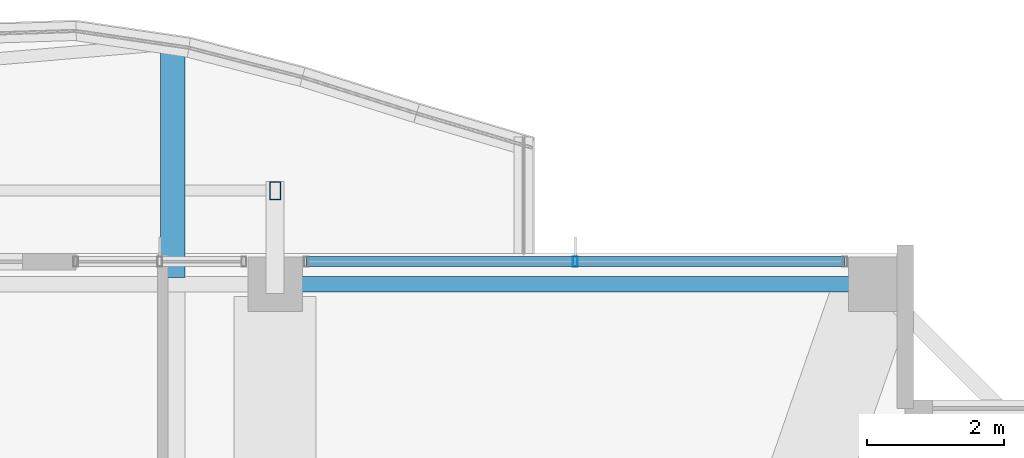
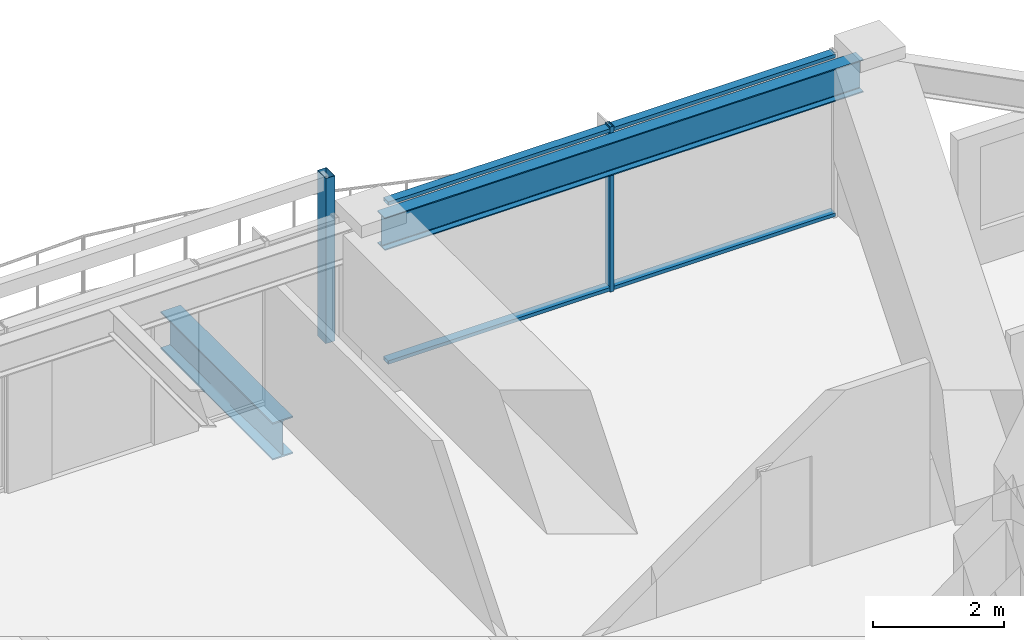
# One storey, part 21 of 37: 4 members, 2 beams, 1 element without a shape of its own.
"""IFC4 building model written with IfcOpenShell, lengths in metres."""

from ifc_helpers import new_model, si_unit, direction, frame, origin, origin_2d, place, context, subcontext, project, spatial, hollow_rectangle, i_section, extrude, material, material_profile, profile_set, type_object, element, aggregate, save


model = new_model("IFC4")

# Units and contexts
model_context = context("Model", 3, precision=1e-05, world=origin(), true_north=direction((0.0, 1.0)))
body_context = subcontext(model_context, "Body", "Model", "MODEL_VIEW")
ifc_project = project(units=[si_unit("LENGTHUNIT", "METRE"), si_unit("AREAUNIT", "SQUARE_METRE"), si_unit("VOLUMEUNIT", "CUBIC_METRE"), si_unit("PLANEANGLEUNIT", "RADIAN"), si_unit("MASSUNIT", "GRAM", prefix="KILO")], contexts=[model_context])

# Site, building, storey
site_placement = place(None, origin())
site = spatial("IfcSite", under=ifc_project, at=site_placement, CompositionType="ELEMENT")
building_placement = place(site_placement, origin())
building = spatial("IfcBuilding", under=site, at=building_placement, Name="Kolvaren Belvedere", CompositionType="ELEMENT")
storey_placement = place(building_placement, frame((0.0, 0.0, 219.60009765625)))
storey = spatial("IfcBuildingStorey", under=building, at=storey_placement, Name="L64", CompositionType="ELEMENT", Elevation=219.60009765625)

# Beams
ifc_material_1 = material(Name="Structural steel ASTM A992 Grade 50", Category="steel")
ifc_material_profile_1 = material_profile(ifc_material_1, i_section(OverallWidth=0.35498046875, OverallDepth=0.696044921875, WebThickness=0.015380859375, FlangeThickness=0.02490234375, FilletRadius=0.02197265625, at=origin_2d()), Name="W27X146")
ifc_profile_set_1 = profile_set([ifc_material_profile_1], Name="Structural steel ASTM A992 Grade 50")
beam_type_1 = type_object("IfcBeamType", Name="BM-CANT-BAL", PredefinedType="BEAM", material=ifc_profile_set_1)
beam_1_placement = place(storey_placement, frame((3.10009765625, 20.044921875, -0.568115234375), z_axis=(0.0, 1.0, 0.0), x_axis=(-1.0, 0.0, 0.0)))
element("IfcBeam", 1, at=beam_1_placement, inside=storey, type_object=beam_type_1, Name="L64 Planted Balcony Cantilever BAL-N-2", PredefinedType="BEAM", context=body_context, shape_type="SweptSolid", body=[
    extrude(i_section(OverallWidth=0.35498046875, OverallDepth=0.696044921875, WebThickness=0.015380859375, FlangeThickness=0.02490234375, FilletRadius=0.02197265625, at=origin_2d()), origin(), (0.0, 0.0, 1.0), 3.425537109375),
])
ifc_material_2 = material(Name="Structural steel ASTM A992 Grade 50", Category="steel")
ifc_material_profile_2 = material_profile(ifc_material_2, i_section(OverallWidth=0.22900390625, OverallDepth=0.612060546875, WebThickness=0.011962890625, FlangeThickness=0.01953125, FilletRadius=0.01806640625, at=origin_2d()), Name="W24X84")
ifc_profile_set_2 = profile_set([ifc_material_profile_2], Name="Structural steel ASTM A992 Grade 50")
beam_type_2 = type_object("IfcBeamType", Name="BM-SPAN-W24X84", PredefinedType="SPANDREL", material=ifc_profile_set_2)
beam_2_placement = place(storey_placement, frame((13.219970703125, 19.949951171875, 2.77392578125), z_axis=(-1.0, 0.0, 0.0), x_axis=(0.0, -1.0, 0.0)))
element("IfcBeam", 2, at=beam_2_placement, inside=storey, type_object=beam_type_2, Name="L64 Perimeter Spandrel N4-N3", PredefinedType="SPANDREL", context=body_context, shape_type="SweptSolid", body=[
    extrude(i_section(OverallWidth=0.22900390625, OverallDepth=0.612060546875, WebThickness=0.011962890625, FlangeThickness=0.01953125, FilletRadius=0.01806640625, at=origin_2d()), origin(), (0.0, 0.0, 1.0), 8.43994140625),
])

# Curtain wall, members
ifc_material_3 = material(Name="Anodised pale-metal aluminium AA 6063-T6", Category="aluminium")
curtain_wall_type = type_object("IfcCurtainWallType", Name="CW-Z5-HIGH", PredefinedType="NOTDEFINED", material=ifc_material_3)
curtain_wall_placement = place(storey_placement, origin())
curtain_wall = element("IfcCurtainWall", 3, at=curtain_wall_placement, inside=storey, type_object=curtain_wall_type, Name="L64 Unitised Curtain Wall FCW-L64-N2-B2", PredefinedType="NOTDEFINED")
ifc_material_4 = material(Name="Anodised pale-metal aluminium AA 6063-T6", Category="aluminium")
ifc_material_profile_3 = material_profile(ifc_material_4, hollow_rectangle(XDim=0.070068359375, YDim=0.14990234375, WallThickness=0.004150390625, at=origin_2d()), Name="ALU-MUL-150X70")
ifc_profile_set_3 = profile_set([ifc_material_profile_3], Name="Anodised pale-metal aluminium AA 6063-T6")
member_type_1 = type_object("IfcMemberType", Name="CW-MUL-150", PredefinedType="MULLION", material=ifc_profile_set_3)
member_1_placement = place(storey_placement, frame((9.0, 20.280029296875, 0.0), z_axis=(0.0, 0.0, 1.0), x_axis=(1.0, 0.0, 0.0)))
member_1 = element("IfcMember", 4, at=member_1_placement, type_object=member_type_1, Name="FCW-L64-N2-B2 Unitised Mullion 2", PredefinedType="MULLION", context=body_context, shape_type="SweptSolid", body=[
    extrude(hollow_rectangle(XDim=0.070068359375, YDim=0.14990234375, WallThickness=0.004150390625, at=origin_2d()), origin(), (0.0, 0.0, 1.0), 3.079833984375),
])
ifc_material_5 = material(Name="Anodised pale-metal aluminium AA 6063-T6", Category="aluminium")
ifc_material_profile_4 = material_profile(ifc_material_5, hollow_rectangle(XDim=0.06494140625, YDim=0.14990234375, WallThickness=0.00390625, at=origin_2d()), Name="ALU-TRN-150X65")
ifc_profile_set_4 = profile_set([ifc_material_profile_4], Name="Anodised pale-metal aluminium AA 6063-T6")
member_type_2 = type_object("IfcMemberType", Name="CW-TRN-150", PredefinedType="USERDEFINED", material=ifc_profile_set_4)
member_2_placement = place(storey_placement, frame((5.054931640625, 20.280029296875, 0.059814453125), z_axis=(1.0, 0.0, 0.0), x_axis=(0.0, 0.0, 1.0)))
member_2 = element("IfcMember", 5, at=member_2_placement, type_object=member_type_2, Name="FCW-L64-N2-B2 Sill Transom", ObjectType="TRANSOM", PredefinedType="USERDEFINED", context=body_context, shape_type="SweptSolid", body=[
    extrude(hollow_rectangle(XDim=0.06494140625, YDim=0.14990234375, WallThickness=0.00390625, at=origin_2d()), origin(), (0.0, 0.0, 1.0), 7.89013671875),
])
member_3_placement = place(storey_placement, frame((5.054931640625, 20.280029296875, 3.02001953125), z_axis=(1.0, 0.0, 0.0), x_axis=(0.0, 0.0, 1.0)))
member_3 = element("IfcMember", 6, at=member_3_placement, type_object=member_type_2, Name="FCW-L64-N2-B2 Head Transom", ObjectType="TRANSOM", PredefinedType="USERDEFINED", context=body_context, shape_type="SweptSolid", body=[
    extrude(hollow_rectangle(XDim=0.06494140625, YDim=0.14990234375, WallThickness=0.00390625, at=origin_2d()), origin(), (0.0, 0.0, 1.0), 7.89013671875),
])
aggregate(curtain_wall, [member_1, member_2, member_3])

# Member
ifc_material_6 = material(Name="Anodised pale-metal aluminium AA 6063-T6", Category="aluminium")
ifc_material_profile_5 = material_profile(ifc_material_6, hollow_rectangle(XDim=0.159912109375, YDim=0.260009765625, WallThickness=0.006591796875, at=origin_2d()), Name="ALU-PF-260X160")
ifc_profile_set_5 = profile_set([ifc_material_profile_5], Name="Anodised pale-metal aluminium AA 6063-T6")
member_type_3 = type_object("IfcMemberType", Name="PF-FRAME-260", PredefinedType="USERDEFINED", material=ifc_profile_set_5)
member_4_placement = place(storey_placement, frame((4.60009765625, 21.320068359375, 0.0), z_axis=(0.0, 0.0, 1.0), x_axis=(1.0, 0.0, 0.0)))
element("IfcMember", 7, at=member_4_placement, inside=storey, type_object=member_type_3, Name="L64 Outboard Picture-Frame Vertical N2", ObjectType="PICTURE FRAME FIN", PredefinedType="USERDEFINED", context=body_context, shape_type="SweptSolid", body=[
    extrude(hollow_rectangle(XDim=0.159912109375, YDim=0.260009765625, WallThickness=0.006591796875, at=origin_2d()), origin(), (0.0, 0.0, 1.0), 3.079833984375),
])

save(model, "model.ifc")
